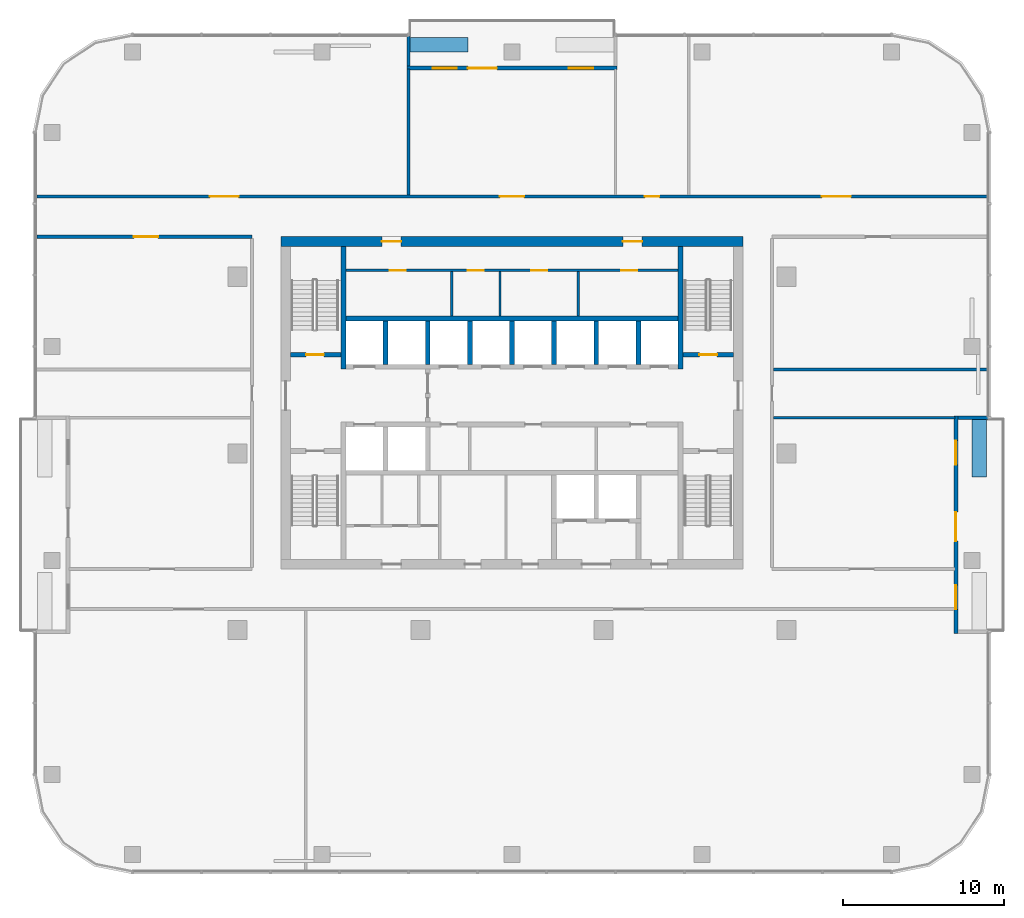
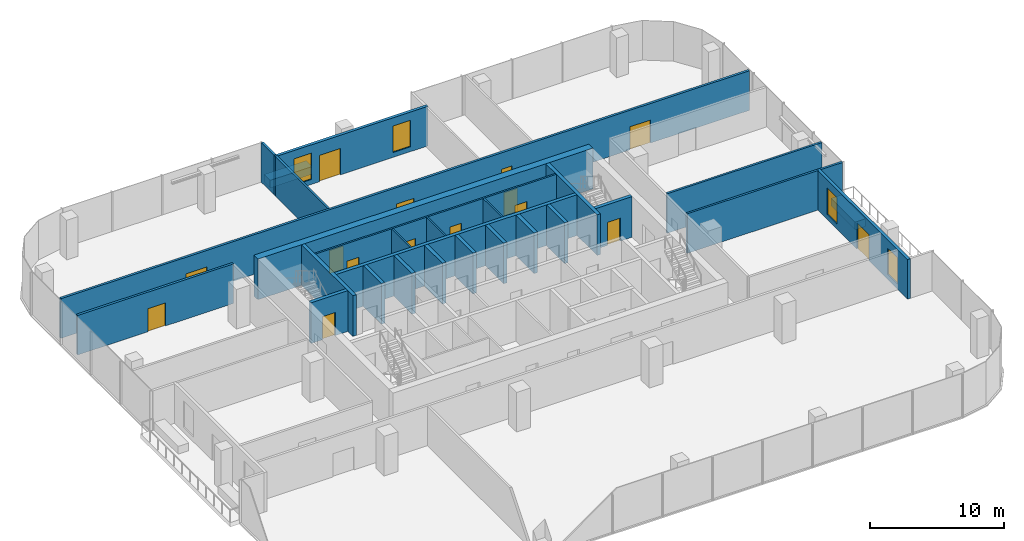
# One storey, part 9 of 13: 28 walls, 15 doors, 4 windows, 19 openings.
"""IFC4 building model written with IfcOpenShell, lengths in metres."""

from ifc_helpers import new_model, si_unit, direction, frame, frame_2d, origin, place, context, subcontext, project, spatial, rectangle, extrude, material, layer, layer_set, type_object, element, fill, save


model = new_model("IFC4")

# Units and contexts
model_context = context("Model", 3, precision=1e-05, world=origin(), true_north=direction((0.0, 1.0)))
body_context = subcontext(model_context, "Body", "Model", "MODEL_VIEW")
ifc_project = project(units=[si_unit("LENGTHUNIT", "METRE"), si_unit("AREAUNIT", "SQUARE_METRE"), si_unit("VOLUMEUNIT", "CUBIC_METRE"), si_unit("PLANEANGLEUNIT", "RADIAN"), si_unit("MASSUNIT", "GRAM", prefix="KILO")], contexts=[model_context])

# Site, building, storey
site_placement = place(None, origin())
site = spatial("IfcSite", under=ifc_project, at=site_placement, CompositionType="ELEMENT")
building_placement = place(site_placement, origin())
building = spatial("IfcBuilding", under=site, at=building_placement, Name="Mopane Tessera Tower", CompositionType="ELEMENT")
storey_placement = place(building_placement, frame((0.0, 0.0, 287.39990234375)))
storey = spatial("IfcBuildingStorey", under=building, at=storey_placement, Name="L62", CompositionType="ELEMENT", Elevation=287.39990234375)

# Walls
ifc_material_1 = material(Name="Fire-rated gypsum board partition")
ifc_layer_1 = layer(ifc_material_1, 0.14990234375)
ifc_layer_set_1 = layer_set([ifc_layer_1], Name="Fire-rated gypsum board partition")
wall_type_1 = type_object("IfcWallType", Name="Core room partition 150 mm", PredefinedType="PARTITIONING", material=ifc_layer_set_1)
for number, where, z_axis, x_axis, name in (
    (1, (-3.75, 8.550048828125, 0.0), (0.0, 0.0, 1.0), (0.0, 1.0, 0.0), "L62 Room partition"),
    (2, (-0.75, 8.550048828125, 0.0), (0.0, 0.0, 1.0), (0.0, 1.0, 0.0), "L62 Room partition"),
    (3, (4.125, 8.550048828125, 0.0), (0.0, 0.0, 1.0), (0.0, 1.0, 0.0), "L62 Room partition"),
):
    element("IfcWall", number, at=place(storey_placement, frame(where, z_axis=z_axis, x_axis=x_axis)), inside=storey, type_object=wall_type_1, Name=name, PredefinedType="PARTITIONING", context=body_context, shape_type="SweptSolid", body=[
        extrude(rectangle(XDim=2.77490234375, YDim=0.14990234375, at=frame_2d((1.387451171875, 0.0))), origin(), (0.0, 0.0, 1.0), 3.7001953125),
    ])

# Wall, openings, doors
wall_1_placement = place(storey_placement, frame((-10.35009765625, 11.39990234375, 0.0), z_axis=(0.0, 0.0, 1.0), x_axis=(1.0, 0.0, 0.0)))
wall_1 = element("IfcWall", 4, at=wall_1_placement, inside=storey, type_object=wall_type_1, Name="L62 Corridor wall", PredefinedType="PARTITIONING", context=body_context, shape_type="SweptSolid", body=[
    extrude(rectangle(XDim=20.7001953125, YDim=0.14990234375, at=frame_2d((10.35009765625, 0.0))), origin(), (0.0, 0.0, 1.0), 3.7001953125),
])
opening_1_placement = place(wall_1_placement, frame((2.72509765625, 0.0, 0.0)))
opening_1 = element("IfcOpeningElement", 5, at=opening_1_placement, cuts=wall_1, Name="Opening RD1", PredefinedType="OPENING", context=body_context, shape_type="SweptSolid", body=[
    extrude(rectangle(XDim=1.0, YDim=2.10009765625, at=frame_2d((0.5, 1.050048828125))), frame((0.0, 0.0869140625, 0.0), z_axis=(0.0, -1.0, 0.0), x_axis=(1.0, 0.0, 0.0)), (0.0, 0.0, 1.0), 0.173828125),
])
opening_2_placement = place(wall_1_placement, frame((7.60009765625, 0.0, 0.0)))
opening_2 = element("IfcOpeningElement", 6, at=opening_2_placement, cuts=wall_1, Name="Opening RD1", PredefinedType="OPENING", context=body_context, shape_type="SweptSolid", body=[
    extrude(rectangle(XDim=1.0, YDim=2.10009765625, at=frame_2d((0.5, 1.050048828125))), frame((0.0, 0.0869140625, 0.0), z_axis=(0.0, -1.0, 0.0), x_axis=(1.0, 0.0, 0.0)), (0.0, 0.0, 1.0), 0.173828125),
])
opening_3_placement = place(wall_1_placement, frame((11.53759765625, 0.0, 0.0)))
opening_3 = element("IfcOpeningElement", 7, at=opening_3_placement, cuts=wall_1, Name="Opening RD1", PredefinedType="OPENING", context=body_context, shape_type="SweptSolid", body=[
    extrude(rectangle(XDim=1.0, YDim=2.10009765625, at=frame_2d((0.5, 1.050048828125))), frame((0.0, 0.0869140625, 0.0), z_axis=(0.0, -1.0, 0.0), x_axis=(1.0, 0.0, 0.0)), (0.0, 0.0, 1.0), 0.173828125),
])
opening_4_placement = place(wall_1_placement, frame((17.16259765625, 0.0, 0.0)))
opening_4 = element("IfcOpeningElement", 8, at=opening_4_placement, cuts=wall_1, Name="Opening RD1", PredefinedType="OPENING", context=body_context, shape_type="SweptSolid", body=[
    extrude(rectangle(XDim=1.0, YDim=2.10009765625, at=frame_2d((0.5, 1.050048828125))), frame((0.0, 0.0869140625, 0.0), z_axis=(0.0, -1.0, 0.0), x_axis=(1.0, 0.0, 0.0)), (0.0, 0.0, 1.0), 0.173828125),
])
ifc_material_2 = material(Name="Timber door", Category="wood")
door_type_1 = type_object("IfcDoorType", Name="Core room door 1000 x 2100", OperationType="SINGLE_SWING_LEFT", PredefinedType="DOOR", material=ifc_material_2)
door_1_placement = place(opening_1_placement, origin())
door_1 = element("IfcDoor", 9, at=door_1_placement, inside=storey, type_object=door_type_1, Name="L62 Room door", OperationType="SINGLE_SWING_LEFT", OverallHeight=2.10009765625, OverallWidth=1.0, PredefinedType="DOOR", context=body_context, shape_type="SweptSolid", body=[
    extrude(rectangle(XDim=1.0, YDim=2.10009765625, at=frame_2d((0.5, 1.050048828125))), frame((0.0, 0.02490234375, 0.0), z_axis=(0.0, -1.0, 0.0), x_axis=(1.0, 0.0, 0.0)), (0.0, 0.0, 1.0), 0.050048828125),
])
fill(opening_1, door_1)
door_2_placement = place(opening_2_placement, origin())
door_2 = element("IfcDoor", 10, at=door_2_placement, inside=storey, type_object=door_type_1, Name="L62 Room door", OperationType="SINGLE_SWING_LEFT", OverallHeight=2.10009765625, OverallWidth=1.0, PredefinedType="DOOR", context=body_context, shape_type="SweptSolid", body=[
    extrude(rectangle(XDim=1.0, YDim=2.10009765625, at=frame_2d((0.5, 1.050048828125))), frame((0.0, 0.02490234375, 0.0), z_axis=(0.0, -1.0, 0.0), x_axis=(1.0, 0.0, 0.0)), (0.0, 0.0, 1.0), 0.050048828125),
])
fill(opening_2, door_2)
door_3_placement = place(opening_3_placement, origin())
door_3 = element("IfcDoor", 11, at=door_3_placement, inside=storey, type_object=door_type_1, Name="L62 Room door", OperationType="SINGLE_SWING_LEFT", OverallHeight=2.10009765625, OverallWidth=1.0, PredefinedType="DOOR", context=body_context, shape_type="SweptSolid", body=[
    extrude(rectangle(XDim=1.0, YDim=2.10009765625, at=frame_2d((0.5, 1.050048828125))), frame((0.0, 0.02490234375, 0.0), z_axis=(0.0, -1.0, 0.0), x_axis=(1.0, 0.0, 0.0)), (0.0, 0.0, 1.0), 0.050048828125),
])
fill(opening_3, door_3)
door_4_placement = place(opening_4_placement, origin())
door_4 = element("IfcDoor", 12, at=door_4_placement, inside=storey, type_object=door_type_1, Name="L62 Room door", OperationType="SINGLE_SWING_LEFT", OverallHeight=2.10009765625, OverallWidth=1.0, PredefinedType="DOOR", context=body_context, shape_type="SweptSolid", body=[
    extrude(rectangle(XDim=1.0, YDim=2.10009765625, at=frame_2d((0.5, 1.050048828125))), frame((0.0, 0.02490234375, 0.0), z_axis=(0.0, -1.0, 0.0), x_axis=(1.0, 0.0, 0.0)), (0.0, 0.0, 1.0), 0.050048828125),
])
fill(opening_4, door_4)

ifc_material_3 = material(Name="Concrete C70/85", Category="concrete")
ifc_layer_2 = layer(ifc_material_3, 0.60009765625)
ifc_layer_set_2 = layer_set([ifc_layer_2], Name="Concrete C70/85")
wall_type_2 = type_object("IfcWallType", Name="Core shear wall 600 mm", PredefinedType="SHEAR", material=ifc_layer_set_2)
wall_2_placement = place(storey_placement, frame((-14.39990234375, 13.199951171875, 0.0), z_axis=(0.0, 0.0, 1.0), x_axis=(1.0, 0.0, 0.0)))
wall_2 = element("IfcWall", 13, at=wall_2_placement, inside=storey, type_object=wall_type_2, Name="L62 Core wall north", PredefinedType="SHEAR", context=body_context, shape_type="SweptSolid", body=[
    extrude(rectangle(XDim=28.7998046875, YDim=0.60009765625, at=frame_2d((14.39990234375, 0.0))), origin(), (0.0, 0.0, 1.0), 3.7001953125),
])
opening_5_placement = place(wall_2_placement, frame((6.300048828125, 0.0, 0.0)))
opening_5 = element("IfcOpeningElement", 14, at=opening_5_placement, cuts=wall_2, Name="Opening RD2", PredefinedType="OPENING", context=body_context, shape_type="SweptSolid", body=[
    extrude(rectangle(XDim=1.199951171875, YDim=2.10009765625, at=frame_2d((0.60009765625, 1.050048828125))), frame((0.0, 0.31201171875, 0.0), z_axis=(0.0, -1.0, 0.0), x_axis=(1.0, 0.0, 0.0)), (0.0, 0.0, 1.0), 0.6240234375),
])
opening_6_placement = place(wall_2_placement, frame((21.300048828125, 0.0, 0.0)))
opening_6 = element("IfcOpeningElement", 15, at=opening_6_placement, cuts=wall_2, Name="Opening RD2", PredefinedType="OPENING", context=body_context, shape_type="SweptSolid", body=[
    extrude(rectangle(XDim=1.199951171875, YDim=2.10009765625, at=frame_2d((0.60009765625, 1.050048828125))), frame((0.0, 0.31201171875, 0.0), z_axis=(0.0, -1.0, 0.0), x_axis=(1.0, 0.0, 0.0)), (0.0, 0.0, 1.0), 0.6240234375),
])
ifc_material_4 = material(Name="Timber door", Category="wood")
door_type_2 = type_object("IfcDoorType", Name="Core corridor door 1200 x 2100", OperationType="SINGLE_SWING_LEFT", PredefinedType="DOOR", material=ifc_material_4)
door_5_placement = place(opening_5_placement, origin())
door_5 = element("IfcDoor", 16, at=door_5_placement, inside=storey, type_object=door_type_2, Name="L62 Corridor door", OperationType="SINGLE_SWING_LEFT", OverallHeight=2.10009765625, OverallWidth=1.199951171875, PredefinedType="DOOR", context=body_context, shape_type="SweptSolid", body=[
    extrude(rectangle(XDim=1.199951171875, YDim=2.10009765625, at=frame_2d((0.60009765625, 1.050048828125))), frame((0.0, 0.02490234375, 0.0), z_axis=(0.0, -1.0, 0.0), x_axis=(1.0, 0.0, 0.0)), (0.0, 0.0, 1.0), 0.050048828125),
])
fill(opening_5, door_5)
door_6_placement = place(opening_6_placement, origin())
door_6 = element("IfcDoor", 17, at=door_6_placement, inside=storey, type_object=door_type_2, Name="L62 Corridor door", OperationType="SINGLE_SWING_RIGHT", OverallHeight=2.10009765625, OverallWidth=1.199951171875, PredefinedType="DOOR", context=body_context, shape_type="SweptSolid", body=[
    extrude(rectangle(XDim=1.199951171875, YDim=2.10009765625, at=frame_2d((0.60009765625, 1.050048828125))), frame((0.0, 0.02490234375, 0.0), z_axis=(0.0, -1.0, 0.0), x_axis=(1.0, 0.0, 0.0)), (0.0, 0.0, 1.0), 0.050048828125),
])
fill(opening_6, door_6)

# Walls
ifc_material_5 = material(Name="Concrete C60/75", Category="concrete")
ifc_layer_3 = layer(ifc_material_5, 0.300048828125)
ifc_layer_set_3 = layer_set([ifc_layer_3], Name="Concrete C60/75")
wall_type_3 = type_object("IfcWallType", Name="Core spine wall 300 mm", PredefinedType="SHEAR", material=ifc_layer_set_3)
for number, where, z_axis, x_axis, name in (
    (18, (-10.5, 5.25, 0.0), (0.0, 0.0, 1.0), (0.0, 1.0, 0.0), "L62 Core spine wall"),
    (19, (10.5, 5.25, 0.0), (0.0, 0.0, 1.0), (0.0, 1.0, 0.0), "L62 Core spine wall"),
):
    element("IfcWall", number, at=place(storey_placement, frame(where, z_axis=z_axis, x_axis=x_axis)), inside=storey, type_object=wall_type_3, Name=name, PredefinedType="SHEAR", context=body_context, shape_type="SweptSolid", body=[
        extrude(rectangle(XDim=7.64990234375, YDim=0.300048828125, at=frame_2d((3.824951171875, 0.0))), origin(), (0.0, 0.0, 1.0), 3.7001953125),
    ])
ifc_material_6 = material(Name="Gypsum board on staggered steel studs, double layer each face, acoustic mineral wool infill", Category="steel")
ifc_layer_4 = layer(ifc_material_6, 0.175048828125)
ifc_layer_set_4 = layer_set([ifc_layer_4], Name="Gypsum board on staggered steel studs, double layer each face, acoustic mineral wool infill")
wall_type_4 = type_object("IfcWallType", Name="Gypsum board acoustic partition 175, rated EI 60", PredefinedType="PARTITIONING", material=ifc_layer_set_4)
wall_3_placement = place(storey_placement, frame((16.300048828125, 2.219970703125, 0.0), z_axis=(0.0, 0.0, 1.0), x_axis=(1.0, 0.0, 0.0)))
element("IfcWall", 20, at=wall_3_placement, inside=storey, type_object=wall_type_4, Name="Partition L62:004", PredefinedType="PARTITIONING", context=body_context, shape_type="SweptSolid", body=[
    extrude(rectangle(XDim=11.300048828125, YDim=0.175048828125, at=frame_2d((5.64990234375, 0.0))), origin(), (0.0, 0.0, 1.0), 3.60009765625),
])
wall_4_placement = place(storey_placement, frame((16.300048828125, 5.219970703125, 0.0), z_axis=(0.0, 0.0, 1.0), x_axis=(1.0, 0.0, 0.0)))
element("IfcWall", 21, at=wall_4_placement, inside=storey, type_object=wall_type_4, Name="Partition L62:006", PredefinedType="PARTITIONING", context=body_context, shape_type="SweptSolid", body=[
    extrude(rectangle(XDim=13.300048828125, YDim=0.175048828125, at=frame_2d((6.64990234375, 0.0))), origin(), (0.0, 0.0, 1.0), 3.60009765625),
])
wall_5_placement = place(storey_placement, frame((-6.449951171875, 16.10009765625, 0.0), z_axis=(0.0, 0.0, 1.0), x_axis=(0.0, 1.0, 0.0)))
element("IfcWall", 22, at=wall_5_placement, inside=storey, type_object=wall_type_4, Name="Partition L62:012", PredefinedType="PARTITIONING", context=body_context, shape_type="SweptSolid", body=[
    extrude(rectangle(XDim=7.849853515625, YDim=0.175048828125, at=frame_2d((3.9248046875, 0.0))), origin(), (0.0, 0.0, 1.0), 3.60009765625),
])

# Wall, opening, door
ifc_material_7 = material(Name="Gypsum board on steel studs, two layers each face, mineral wool infill", Category="steel")
ifc_layer_5 = layer(ifc_material_7, 0.199951171875)
ifc_layer_set_5 = layer_set([ifc_layer_5], Name="Gypsum board on steel studs, two layers each face, mineral wool infill")
wall_type_5 = type_object("IfcWallType", Name="Gypsum board corridor wall 200, rated EI 60", PredefinedType="PARTITIONING", material=ifc_layer_set_5)
wall_6_placement = place(storey_placement, frame((-29.60009765625, 13.5, 0.0), z_axis=(0.0, 0.0, 1.0), x_axis=(1.0, 0.0, 0.0)))
wall_6 = element("IfcWall", 23, at=wall_6_placement, inside=storey, type_object=wall_type_5, Name="Partition L62:007", PredefinedType="PARTITIONING", context=body_context, shape_type="SweptSolid", body=[
    extrude(rectangle(XDim=13.400146484375, YDim=0.199951171875, at=frame_2d((6.7001953125, 0.0))), origin(), (0.0, 0.0, 1.0), 3.60009765625),
])
opening_7_placement = place(wall_6_placement, frame((6.050048828125, 0.0, 0.0)))
opening_7 = element("IfcOpeningElement", 24, at=opening_7_placement, cuts=wall_6, Name="Opening L62-01", PredefinedType="OPENING", context=body_context, shape_type="SweptSolid", body=[
    extrude(rectangle(XDim=1.5, YDim=2.10009765625, at=frame_2d((0.75, 1.050048828125))), frame((0.0, 0.112060546875, 0.0), z_axis=(0.0, -1.0, 0.0), x_axis=(1.0, 0.0, 0.0)), (0.0, 0.0, 1.0), 0.223876953125),
])
ifc_material_8 = material(Name="Timber veneered steel-framed fire door", Category="steel")
door_type_3 = type_object("IfcDoorType", Name="Fire door pair FD60 1500 x 2100", OperationType="DOUBLE_DOOR_SINGLE_SWING", PredefinedType="DOOR", material=ifc_material_8)
door_7_placement = place(opening_7_placement, origin())
door_7 = element("IfcDoor", 25, at=door_7_placement, inside=storey, type_object=door_type_3, Name="Door L62-01", ObjectType="D17A", OperationType="DOUBLE_DOOR_SINGLE_SWING", OverallHeight=2.10009765625, OverallWidth=1.5, PredefinedType="DOOR", context=body_context, shape_type="SweptSolid", body=[
    extrude(rectangle(XDim=1.5, YDim=2.10009765625, at=frame_2d((0.75, 1.050048828125))), frame((0.0, 0.02490234375, 0.0), z_axis=(0.0, -1.0, 0.0), x_axis=(1.0, 0.0, 0.0)), (0.0, 0.0, 1.0), 0.050048828125),
])
fill(opening_7, door_7)

# Wall, openings, doors
wall_7_placement = place(storey_placement, frame((-29.60009765625, 16.0, 0.0), z_axis=(0.0, 0.0, 1.0), x_axis=(1.0, 0.0, 0.0)))
wall_7 = element("IfcWall", 26, at=wall_7_placement, inside=storey, type_object=wall_type_5, Name="Partition L62:009", PredefinedType="PARTITIONING", context=body_context, shape_type="SweptSolid", body=[
    extrude(rectangle(XDim=59.2001953125, YDim=0.199951171875, at=frame_2d((29.60009765625, 0.0))), origin(), (0.0, 0.0, 1.0), 3.60009765625),
])
opening_8_placement = place(wall_7_placement, frame((48.905029296875, 0.0, 0.0)))
opening_8 = element("IfcOpeningElement", 27, at=opening_8_placement, cuts=wall_7, Name="Opening L62-02", PredefinedType="OPENING", context=body_context, shape_type="SweptSolid", body=[
    extrude(rectangle(XDim=1.800048828125, YDim=2.10009765625, at=frame_2d((0.89990234375, 1.050048828125))), frame((0.0, 0.112060546875, 0.0), z_axis=(0.0, -1.0, 0.0), x_axis=(1.0, 0.0, 0.0)), (0.0, 0.0, 1.0), 0.223876953125),
])
opening_9_placement = place(wall_7_placement, frame((37.8798828125, 0.0, 0.0)))
opening_9 = element("IfcOpeningElement", 28, at=opening_9_placement, cuts=wall_7, Name="Opening L62-04", PredefinedType="OPENING", context=body_context, shape_type="SweptSolid", body=[
    extrude(rectangle(XDim=0.89990234375, YDim=2.10009765625, at=frame_2d((0.449951171875, 1.050048828125))), frame((0.0, 0.112060546875, 0.0), z_axis=(0.0, -1.0, 0.0), x_axis=(1.0, 0.0, 0.0)), (0.0, 0.0, 1.0), 0.223876953125),
])
opening_10_placement = place(wall_7_placement, frame((10.77490234375, 0.0, 0.0)))
opening_10 = element("IfcOpeningElement", 29, at=opening_10_placement, cuts=wall_7, Name="Opening L62-07", PredefinedType="OPENING", context=body_context, shape_type="SweptSolid", body=[
    extrude(rectangle(XDim=1.800048828125, YDim=2.10009765625, at=frame_2d((0.89990234375, 1.050048828125))), frame((0.0, 0.112060546875, 0.0), z_axis=(0.0, -1.0, 0.0), x_axis=(1.0, 0.0, 0.0)), (0.0, 0.0, 1.0), 0.223876953125),
])
opening_11_placement = place(wall_7_placement, frame((28.85009765625, 0.0, 0.0)))
opening_11 = element("IfcOpeningElement", 30, at=opening_11_placement, cuts=wall_7, Name="Opening L62-11", PredefinedType="OPENING", context=body_context, shape_type="SweptSolid", body=[
    extrude(rectangle(XDim=1.5, YDim=2.10009765625, at=frame_2d((0.75, 1.050048828125))), frame((0.0, 0.112060546875, 0.0), z_axis=(0.0, -1.0, 0.0), x_axis=(1.0, 0.0, 0.0)), (0.0, 0.0, 1.0), 0.223876953125),
])
ifc_material_9 = material(Name="Timber veneered steel-framed fire door", Category="steel")
door_type_4 = type_object("IfcDoorType", Name="Fire door FD60 900 x 2100", OperationType="SINGLE_SWING_LEFT", PredefinedType="DOOR", material=ifc_material_9)
door_8_placement = place(opening_9_placement, origin())
door_8 = element("IfcDoor", 31, at=door_8_placement, inside=storey, type_object=door_type_4, Name="Door L62-04", ObjectType="D10A", OperationType="SINGLE_SWING_LEFT", OverallHeight=2.10009765625, OverallWidth=0.89990234375, PredefinedType="DOOR", context=body_context, shape_type="SweptSolid", body=[
    extrude(rectangle(XDim=0.89990234375, YDim=2.10009765625, at=frame_2d((0.449951171875, 1.050048828125))), frame((0.0, 0.02490234375, 0.0), z_axis=(0.0, -1.0, 0.0), x_axis=(1.0, 0.0, 0.0)), (0.0, 0.0, 1.0), 0.050048828125),
])
fill(opening_9, door_8)
door_9_placement = place(opening_11_placement, origin())
door_9 = element("IfcDoor", 32, at=door_9_placement, inside=storey, type_object=door_type_3, Name="Door L62-11", ObjectType="D17A", OperationType="DOUBLE_DOOR_SINGLE_SWING", OverallHeight=2.10009765625, OverallWidth=1.5, PredefinedType="DOOR", context=body_context, shape_type="SweptSolid", body=[
    extrude(rectangle(XDim=1.5, YDim=2.10009765625, at=frame_2d((0.75, 1.050048828125))), frame((0.0, 0.02490234375, 0.0), z_axis=(0.0, -1.0, 0.0), x_axis=(1.0, 0.0, 0.0)), (0.0, 0.0, 1.0), 0.050048828125),
])
fill(opening_11, door_9)
ifc_material_10 = material(Name="Timber veneered steel-framed fire door", Category="steel")
door_type_5 = type_object("IfcDoorType", Name="Fire door pair FD60 1800 x 2100", OperationType="DOUBLE_DOOR_SINGLE_SWING", PredefinedType="DOOR", material=ifc_material_10)
door_10_placement = place(opening_8_placement, origin())
door_10 = element("IfcDoor", 33, at=door_10_placement, inside=storey, type_object=door_type_5, Name="Door L62-02", ObjectType="D20A", OperationType="DOUBLE_DOOR_SINGLE_SWING", OverallHeight=2.10009765625, OverallWidth=1.800048828125, PredefinedType="DOOR", context=body_context, shape_type="SweptSolid", body=[
    extrude(rectangle(XDim=1.800048828125, YDim=2.10009765625, at=frame_2d((0.89990234375, 1.050048828125))), frame((0.0, 0.02490234375, 0.0), z_axis=(0.0, -1.0, 0.0), x_axis=(1.0, 0.0, 0.0)), (0.0, 0.0, 1.0), 0.050048828125),
])
fill(opening_8, door_10)
door_11_placement = place(opening_10_placement, origin())
door_11 = element("IfcDoor", 34, at=door_11_placement, inside=storey, type_object=door_type_5, Name="Door L62-07", ObjectType="D20A", OperationType="DOUBLE_DOOR_SINGLE_SWING", OverallHeight=2.10009765625, OverallWidth=1.800048828125, PredefinedType="DOOR", context=body_context, shape_type="SweptSolid", body=[
    extrude(rectangle(XDim=1.800048828125, YDim=2.10009765625, at=frame_2d((0.89990234375, 1.050048828125))), frame((0.0, 0.02490234375, 0.0), z_axis=(0.0, -1.0, 0.0), x_axis=(1.0, 0.0, 0.0)), (0.0, 0.0, 1.0), 0.050048828125),
])
fill(opening_10, door_11)

# Wall, opening, door
ifc_material_11 = material(Name="Concrete C50/60", Category="concrete")
ifc_layer_6 = layer(ifc_material_11, 0.300048828125)
ifc_layer_set_6 = layer_set([ifc_layer_6], Name="Concrete C50/60")
wall_type_6 = type_object("IfcWallType", Name="Lift and stair shaft wall 300 mm", PredefinedType="SOLIDWALL", material=ifc_layer_set_6)
wall_8_placement = place(storey_placement, frame((-13.800048828125, 6.14990234375, 0.0), z_axis=(0.0, 0.0, 1.0), x_axis=(1.0, 0.0, 0.0)))
wall_8 = element("IfcWall", 35, at=wall_8_placement, inside=storey, type_object=wall_type_6, Name="L62 Stair enclosure wall", PredefinedType="SOLIDWALL", context=body_context, shape_type="SweptSolid", body=[
    extrude(rectangle(XDim=3.150146484375, YDim=0.300048828125, at=frame_2d((1.5751953125, 0.0))), origin(), (0.0, 0.0, 1.0), 3.7001953125),
])
opening_12_placement = place(wall_8_placement, frame((0.97509765625, 0.0, 0.0)))
opening_12 = element("IfcOpeningElement", 36, at=opening_12_placement, cuts=wall_8, Name="Opening SD1", PredefinedType="OPENING", context=body_context, shape_type="SweptSolid", body=[
    extrude(rectangle(XDim=1.10009765625, YDim=2.10009765625, at=frame_2d((0.550048828125, 1.050048828125))), frame((0.0, 0.162109375, 0.0), z_axis=(0.0, -1.0, 0.0), x_axis=(1.0, 0.0, 0.0)), (0.0, 0.0, 1.0), 0.323974609375),
])
ifc_material_12 = material(Name="Steel fire door", Category="steel")
door_type_6 = type_object("IfcDoorType", Name="Stair fire door 1100 x 2100", OperationType="SINGLE_SWING_LEFT", PredefinedType="DOOR", material=ifc_material_12)
door_12_placement = place(opening_12_placement, origin())
door_12 = element("IfcDoor", 37, at=door_12_placement, inside=storey, type_object=door_type_6, Name="L62 Stair door ST2", OperationType="SINGLE_SWING_LEFT", OverallHeight=2.10009765625, OverallWidth=1.10009765625, PredefinedType="DOOR", context=body_context, shape_type="SweptSolid", body=[
    extrude(rectangle(XDim=1.10009765625, YDim=2.10009765625, at=frame_2d((0.550048828125, 1.050048828125))), frame((0.0, 0.02490234375, 0.0), z_axis=(0.0, -1.0, 0.0), x_axis=(1.0, 0.0, 0.0)), (0.0, 0.0, 1.0), 0.050048828125),
])
fill(opening_12, door_12)

wall_9_placement = place(storey_placement, frame((10.64990234375, 6.14990234375, 0.0), z_axis=(0.0, 0.0, 1.0), x_axis=(1.0, 0.0, 0.0)))
wall_9 = element("IfcWall", 38, at=wall_9_placement, inside=storey, type_object=wall_type_6, Name="L62 Stair enclosure wall", PredefinedType="SOLIDWALL", context=body_context, shape_type="SweptSolid", body=[
    extrude(rectangle(XDim=3.150146484375, YDim=0.300048828125, at=frame_2d((1.5751953125, 0.0))), origin(), (0.0, 0.0, 1.0), 3.7001953125),
])
opening_13_placement = place(wall_9_placement, frame((1.02490234375, 0.0, 0.0)))
opening_13 = element("IfcOpeningElement", 39, at=opening_13_placement, cuts=wall_9, Name="Opening SD1", PredefinedType="OPENING", context=body_context, shape_type="SweptSolid", body=[
    extrude(rectangle(XDim=1.10009765625, YDim=2.10009765625, at=frame_2d((0.550048828125, 1.050048828125))), frame((0.0, 0.162109375, 0.0), z_axis=(0.0, -1.0, 0.0), x_axis=(1.0, 0.0, 0.0)), (0.0, 0.0, 1.0), 0.323974609375),
])
door_13_placement = place(opening_13_placement, origin())
door_13 = element("IfcDoor", 40, at=door_13_placement, inside=storey, type_object=door_type_6, Name="L62 Stair door ST4", OperationType="SINGLE_SWING_RIGHT", OverallHeight=2.10009765625, OverallWidth=1.10009765625, PredefinedType="DOOR", context=body_context, shape_type="SweptSolid", body=[
    extrude(rectangle(XDim=1.10009765625, YDim=2.10009765625, at=frame_2d((0.550048828125, 1.050048828125))), frame((0.0, 0.02490234375, 0.0), z_axis=(0.0, -1.0, 0.0), x_axis=(1.0, 0.0, 0.0)), (0.0, 0.0, 1.0), 0.050048828125),
])
fill(opening_13, door_13)

# Walls
wall_10_placement = place(storey_placement, frame((-10.35009765625, 8.39990234375, 0.0), z_axis=(0.0, 0.0, 1.0), x_axis=(1.0, 0.0, 0.0)))
element("IfcWall", 41, at=wall_10_placement, inside=storey, type_object=wall_type_6, Name="L62 Lift shaft rear wall", PredefinedType="SOLIDWALL", context=body_context, shape_type="SweptSolid", body=[
    extrude(rectangle(XDim=20.7001953125, YDim=0.300048828125, at=frame_2d((10.35009765625, 0.0))), origin(), (0.0, 0.0, 1.0), 3.7001953125),
])
for number, where, z_axis, x_axis, name in (
    (42, (-7.875, 5.550048828125, 0.0), (0.0, 0.0, 1.0), (0.0, 1.0, 0.0), "L62 Lift shaft wall"),
    (43, (-5.25, 5.550048828125, 0.0), (0.0, 0.0, 1.0), (0.0, 1.0, 0.0), "L62 Lift shaft wall"),
    (44, (-2.625, 5.550048828125, 0.0), (0.0, 0.0, 1.0), (0.0, 1.0, 0.0), "L62 Lift shaft wall"),
    (45, (0.0, 5.550048828125, 0.0), (0.0, 0.0, 1.0), (0.0, 1.0, 0.0), "L62 Lift shaft wall"),
    (46, (2.625, 5.550048828125, 0.0), (0.0, 0.0, 1.0), (0.0, 1.0, 0.0), "L62 Lift shaft wall"),
    (47, (5.25, 5.550048828125, 0.0), (0.0, 0.0, 1.0), (0.0, 1.0, 0.0), "L62 Lift shaft wall"),
    (48, (7.875, 5.550048828125, 0.0), (0.0, 0.0, 1.0), (0.0, 1.0, 0.0), "L62 Lift shaft wall"),
):
    element("IfcWall", number, at=place(storey_placement, frame(where, z_axis=z_axis, x_axis=x_axis)), inside=storey, type_object=wall_type_6, Name=name, PredefinedType="SOLIDWALL", context=body_context, shape_type="SweptSolid", body=[
        extrude(rectangle(XDim=2.699951171875, YDim=0.300048828125, at=frame_2d((1.35009765625, 0.0))), origin(), (0.0, 0.0, 1.0), 3.7001953125),
    ])
ifc_material_13 = material(Name="Reinforced concrete C32/40 with waterproofing", Category="concrete")
ifc_layer_7 = layer(ifc_material_13, 0.89990234375)
ifc_layer_set_7 = layer_set([ifc_layer_7], Name="Reinforced concrete C32/40 with waterproofing")
wall_type_7 = type_object("IfcWallType", Name="Planter trough 3600 x 900", PredefinedType="STANDARD", material=ifc_layer_set_7)
for number, where, z_axis, x_axis, name in (
    (49, (29.10009765625, -1.477783203125, 0.0), (0.0, 0.0, 1.0), (0.0, 1.0, 0.0), "e:nw:L62:N1:pl1"),
    (50, (-2.75, 25.449951171875, 0.0), (0.0, 0.0, 1.0), (-1.0, 0.0, 0.0), "e:nw:L62:N2:pl1"),
):
    element("IfcWall", number, at=place(storey_placement, frame(where, z_axis=z_axis, x_axis=x_axis)), inside=storey, type_object=wall_type_7, Name=name, PredefinedType="STANDARD", context=body_context, shape_type="SweptSolid", body=[
        extrude(rectangle(XDim=3.60009765625, YDim=0.89990234375, at=frame_2d((1.800048828125, 0.0))), origin(), (0.0, 0.0, 1.0), 0.7001953125),
    ])
ifc_material_14 = material(Name="Blockwork with glazed tile facing", Category="masonry")
ifc_layer_8 = layer(ifc_material_14, 0.199951171875)
ifc_layer_set_8 = layer_set([ifc_layer_8], Name="Blockwork with glazed tile facing")
wall_type_8 = type_object("IfcWallType", Name="Terrace cheek wall 200", PredefinedType="STANDARD", material=ifc_layer_set_8)
for number, where, z_axis, x_axis, name in (
    (51, (29.64990234375, 2.22216796875, 0.0), (0.0, 0.0, 1.0), (-1.0, 0.0, 0.0), "e:nw:L62:N1:cheekb"),
    (52, (-6.449951171875, 26.0, 0.0), (0.0, 0.0, 1.0), (0.0, -1.0, 0.0), "e:nw:L62:N2:cheekb"),
):
    element("IfcWall", number, at=place(storey_placement, frame(where, z_axis=z_axis, x_axis=x_axis)), inside=storey, type_object=wall_type_8, Name=name, PredefinedType="STANDARD", context=body_context, shape_type="SweptSolid", body=[
        extrude(rectangle(XDim=1.875, YDim=0.199951171875, at=frame_2d((0.9375, 0.0))), origin(), (0.0, 0.0, 1.0), 3.60009765625),
    ])

# Wall, openings, windows, door
ifc_material_15 = material(Name="Blockwork with turquoise glazed tile facing", Category="masonry")
ifc_layer_9 = layer(ifc_material_15, 0.25)
ifc_layer_set_9 = layer_set([ifc_layer_9], Name="Blockwork with turquoise glazed tile facing")
wall_type_9 = type_object("IfcWallType", Name="Tile-clad external wall 250, turquoise", PredefinedType="STANDARD", material=ifc_layer_set_9)
wall_11_placement = place(storey_placement, frame((27.64990234375, -11.211181640625, 0.0), z_axis=(0.0, 0.0, 1.0), x_axis=(0.0, 1.0, 0.0)))
wall_11 = element("IfcWall", 53, at=wall_11_placement, inside=storey, type_object=wall_type_9, Name="e:nw:L62:N1:back", PredefinedType="STANDARD", context=body_context, shape_type="SweptSolid", body=[
    extrude(rectangle(XDim=13.533447265625, YDim=0.25, at=frame_2d((6.7666015625, 0.0))), origin(), (0.0, 0.0, 1.0), 3.60009765625),
])
opening_14_placement = place(wall_11_placement, frame((1.5, 0.0, 0.449951171875)))
opening_14 = element("IfcOpeningElement", 54, at=opening_14_placement, cuts=wall_11, Name="Opening NW621A", PredefinedType="OPENING", context=body_context, shape_type="SweptSolid", body=[
    extrude(rectangle(XDim=1.5, YDim=2.39990234375, at=frame_2d((0.75, 1.199951171875))), frame((0.0, 0.136962890625, 0.0), z_axis=(0.0, -1.0, 0.0), x_axis=(1.0, 0.0, 0.0)), (0.0, 0.0, 1.0), 0.27392578125),
])
opening_15_placement = place(wall_11_placement, frame((5.75, 0.0, 0.0)))
opening_15 = element("IfcOpeningElement", 55, at=opening_15_placement, cuts=wall_11, Name="Opening ND621", PredefinedType="OPENING", context=body_context, shape_type="SweptSolid", body=[
    extrude(rectangle(XDim=1.800048828125, YDim=2.39990234375, at=frame_2d((0.89990234375, 1.199951171875))), frame((0.0, 0.136962890625, 0.0), z_axis=(0.0, -1.0, 0.0), x_axis=(1.0, 0.0, 0.0)), (0.0, 0.0, 1.0), 0.27392578125),
])
opening_16_placement = place(wall_11_placement, frame((10.5, 0.0, 0.449951171875)))
opening_16 = element("IfcOpeningElement", 56, at=opening_16_placement, cuts=wall_11, Name="Opening NW621B", PredefinedType="OPENING", context=body_context, shape_type="SweptSolid", body=[
    extrude(rectangle(XDim=1.5, YDim=2.39990234375, at=frame_2d((0.75, 1.199951171875))), frame((0.0, 0.136962890625, 0.0), z_axis=(0.0, -1.0, 0.0), x_axis=(1.0, 0.0, 0.0)), (0.0, 0.0, 1.0), 0.27392578125),
])
ifc_material_16 = material(Name="Clear laminated glass", Category="glass")
window_type = type_object("IfcWindowType", Name="Fixed window 1500 x 2400", PartitioningType="SINGLE_PANEL", PredefinedType="WINDOW", material=ifc_material_16)
window_1_placement = place(opening_14_placement, origin())
window_1 = element("IfcWindow", 57, at=window_1_placement, inside=storey, type_object=window_type, Name="e:nw:L62:N1:win0", OverallHeight=2.39990234375, OverallWidth=1.5, PartitioningType="SINGLE_PANEL", PredefinedType="WINDOW", context=body_context, shape_type="SweptSolid", body=[
    extrude(rectangle(XDim=1.5, YDim=2.39990234375, at=frame_2d((0.75, 1.199951171875))), frame((0.0, 0.030029296875, 0.0), z_axis=(0.0, -1.0, 0.0), x_axis=(1.0, 0.0, 0.0)), (0.0, 0.0, 1.0), 0.06005859375),
])
fill(opening_14, window_1)
window_2_placement = place(opening_16_placement, origin())
window_2 = element("IfcWindow", 58, at=window_2_placement, inside=storey, type_object=window_type, Name="e:nw:L62:N1:win2", OverallHeight=2.39990234375, OverallWidth=1.5, PartitioningType="SINGLE_PANEL", PredefinedType="WINDOW", context=body_context, shape_type="SweptSolid", body=[
    extrude(rectangle(XDim=1.5, YDim=2.39990234375, at=frame_2d((0.75, 1.199951171875))), frame((0.0, 0.030029296875, 0.0), z_axis=(0.0, -1.0, 0.0), x_axis=(1.0, 0.0, 0.0)), (0.0, 0.0, 1.0), 0.06005859375),
])
fill(opening_16, window_2)
ifc_material_17 = material(Name="Aluminium and clear glass", Category="aluminium")
door_type_7 = type_object("IfcDoorType", Name="Terrace double door 1800 x 2400", OperationType="DOUBLE_DOOR_SINGLE_SWING", PredefinedType="DOOR", material=ifc_material_17)
door_14_placement = place(opening_15_placement, origin())
door_14 = element("IfcDoor", 59, at=door_14_placement, inside=storey, type_object=door_type_7, Name="e:nw:L62:N1:door", ObjectType="D1", OperationType="DOUBLE_DOOR_SINGLE_SWING", OverallHeight=2.39990234375, OverallWidth=1.800048828125, PredefinedType="DOOR", context=body_context, shape_type="SweptSolid", body=[
    extrude(rectangle(XDim=1.800048828125, YDim=2.39990234375, at=frame_2d((0.89990234375, 1.199951171875))), frame((0.0, 0.02490234375, 0.0), z_axis=(0.0, -1.0, 0.0), x_axis=(1.0, 0.0, 0.0)), (0.0, 0.0, 1.0), 0.050048828125),
])
fill(opening_15, door_14)

wall_12_placement = place(storey_placement, frame((6.550048828125, 24.0, 0.0), z_axis=(0.0, 0.0, 1.0), x_axis=(-1.0, 0.0, 0.0)))
wall_12 = element("IfcWall", 60, at=wall_12_placement, inside=storey, type_object=wall_type_9, Name="e:nw:L62:N2:back", PredefinedType="STANDARD", context=body_context, shape_type="SweptSolid", body=[
    extrude(rectangle(XDim=13.10009765625, YDim=0.25, at=frame_2d((6.550048828125, 0.0))), origin(), (0.0, 0.0, 1.0), 3.60009765625),
])
opening_17_placement = place(wall_12_placement, frame((1.5, 0.0, 0.449951171875)))
opening_17 = element("IfcOpeningElement", 61, at=opening_17_placement, cuts=wall_12, Name="Opening NW622A", PredefinedType="OPENING", context=body_context, shape_type="SweptSolid", body=[
    extrude(rectangle(XDim=1.5, YDim=2.39990234375, at=frame_2d((0.75, 1.199951171875))), frame((0.0, 0.136962890625, 0.0), z_axis=(0.0, -1.0, 0.0), x_axis=(1.0, 0.0, 0.0)), (0.0, 0.0, 1.0), 0.27392578125),
])
opening_18_placement = place(wall_12_placement, frame((7.5, 0.0, 0.0)))
opening_18 = element("IfcOpeningElement", 62, at=opening_18_placement, cuts=wall_12, Name="Opening ND622", PredefinedType="OPENING", context=body_context, shape_type="SweptSolid", body=[
    extrude(rectangle(XDim=1.800048828125, YDim=2.39990234375, at=frame_2d((0.89990234375, 1.199951171875))), frame((0.0, 0.136962890625, 0.0), z_axis=(0.0, -1.0, 0.0), x_axis=(1.0, 0.0, 0.0)), (0.0, 0.0, 1.0), 0.27392578125),
])
opening_19_placement = place(wall_12_placement, frame((10.0, 0.0, 0.449951171875)))
opening_19 = element("IfcOpeningElement", 63, at=opening_19_placement, cuts=wall_12, Name="Opening NW622B", PredefinedType="OPENING", context=body_context, shape_type="SweptSolid", body=[
    extrude(rectangle(XDim=1.5, YDim=2.39990234375, at=frame_2d((0.75, 1.199951171875))), frame((0.0, 0.136962890625, 0.0), z_axis=(0.0, -1.0, 0.0), x_axis=(1.0, 0.0, 0.0)), (0.0, 0.0, 1.0), 0.27392578125),
])
window_3_placement = place(opening_17_placement, origin())
window_3 = element("IfcWindow", 64, at=window_3_placement, inside=storey, type_object=window_type, Name="e:nw:L62:N2:win0", OverallHeight=2.39990234375, OverallWidth=1.5, PartitioningType="SINGLE_PANEL", PredefinedType="WINDOW", context=body_context, shape_type="SweptSolid", body=[
    extrude(rectangle(XDim=1.5, YDim=2.39990234375, at=frame_2d((0.75, 1.199951171875))), frame((0.0, 0.030029296875, 0.0), z_axis=(0.0, -1.0, 0.0), x_axis=(1.0, 0.0, 0.0)), (0.0, 0.0, 1.0), 0.06005859375),
])
fill(opening_17, window_3)
window_4_placement = place(opening_19_placement, origin())
window_4 = element("IfcWindow", 65, at=window_4_placement, inside=storey, type_object=window_type, Name="e:nw:L62:N2:win2", OverallHeight=2.39990234375, OverallWidth=1.5, PartitioningType="SINGLE_PANEL", PredefinedType="WINDOW", context=body_context, shape_type="SweptSolid", body=[
    extrude(rectangle(XDim=1.5, YDim=2.39990234375, at=frame_2d((0.75, 1.199951171875))), frame((0.0, 0.030029296875, 0.0), z_axis=(0.0, -1.0, 0.0), x_axis=(1.0, 0.0, 0.0)), (0.0, 0.0, 1.0), 0.06005859375),
])
fill(opening_19, window_4)
door_15_placement = place(opening_18_placement, origin())
door_15 = element("IfcDoor", 66, at=door_15_placement, inside=storey, type_object=door_type_7, Name="e:nw:L62:N2:door", ObjectType="D1", OperationType="DOUBLE_DOOR_SINGLE_SWING", OverallHeight=2.39990234375, OverallWidth=1.800048828125, PredefinedType="DOOR", context=body_context, shape_type="SweptSolid", body=[
    extrude(rectangle(XDim=1.800048828125, YDim=2.39990234375, at=frame_2d((0.89990234375, 1.199951171875))), frame((0.0, 0.02490234375, 0.0), z_axis=(0.0, -1.0, 0.0), x_axis=(1.0, 0.0, 0.0)), (0.0, 0.0, 1.0), 0.050048828125),
])
fill(opening_18, door_15)

save(model, "model.ifc")
